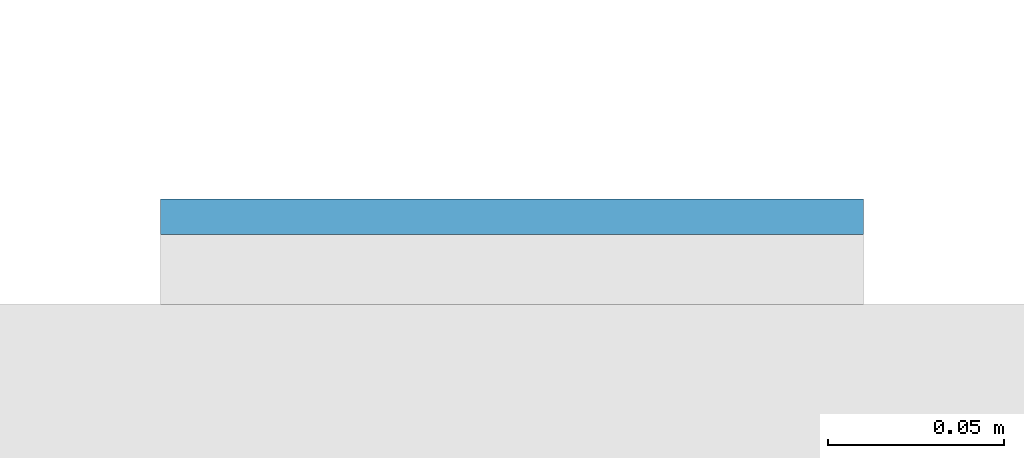
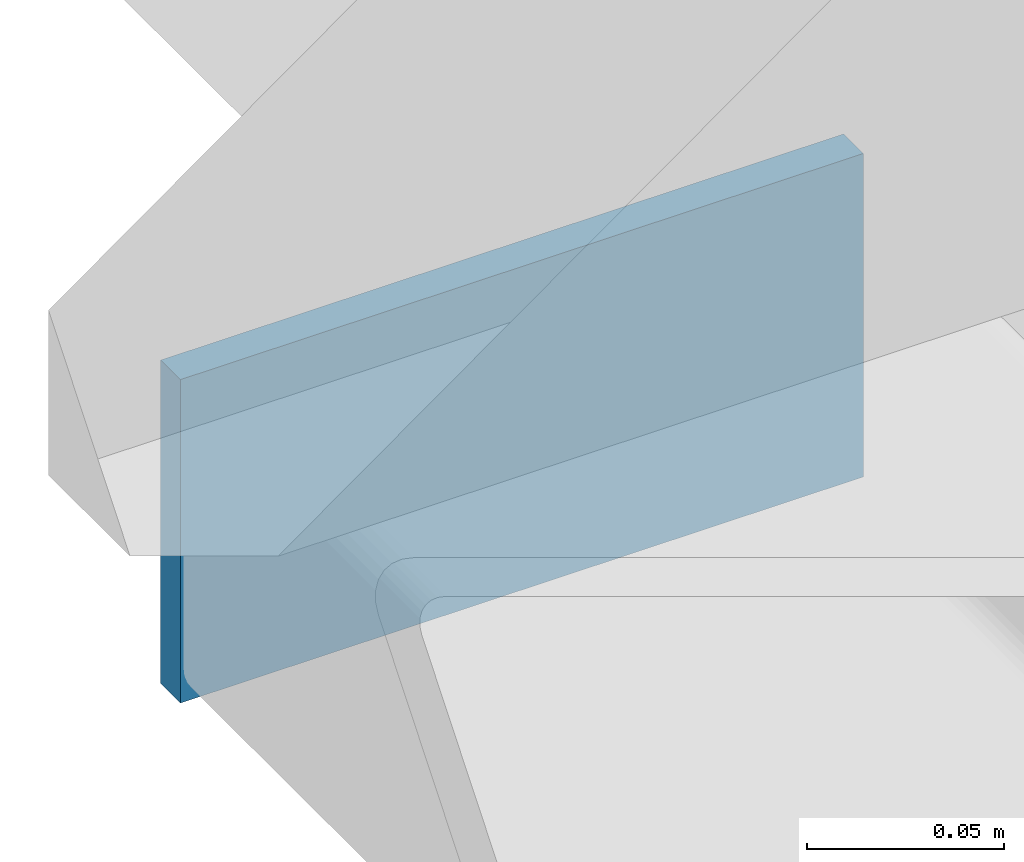
# One storey, part 9 of 20: 1 plate.
"""IFC4 building model written with IfcOpenShell, lengths in metres."""

from ifc_helpers import new_model, si_unit, direction, frame, origin, origin_2d, place, context, subcontext, project, spatial, rectangle, extrude, material, layer, layer_set, type_object, element, save


model = new_model("IFC4")

# Units and contexts
model_context = context("Model", 3, precision=1e-05, world=origin(), true_north=direction((0.0, 1.0)))
body_context = subcontext(model_context, "Body", "Model", "MODEL_VIEW")
ifc_project = project(units=[si_unit("LENGTHUNIT", "METRE"), si_unit("AREAUNIT", "SQUARE_METRE"), si_unit("VOLUMEUNIT", "CUBIC_METRE"), si_unit("PLANEANGLEUNIT", "RADIAN"), si_unit("MASSUNIT", "GRAM", prefix="KILO")], contexts=[model_context])

# Site, building, storey
site_placement = place(None, origin())
site = spatial("IfcSite", under=ifc_project, at=site_placement, CompositionType="ELEMENT")
building_placement = place(site_placement, origin())
building = spatial("IfcBuilding", under=site, at=building_placement, Name="Cleftline Residences", CompositionType="ELEMENT")
storey_placement = place(building_placement, frame((0.0, 0.0, 54.800048828125)))
storey = spatial("IfcBuildingStorey", under=building, at=storey_placement, Name="L13", CompositionType="ELEMENT", Elevation=54.800048828125)

# Plate
ifc_material = material(Name="Steel S355, hot-dip galvanised", Category="steel")
ifc_layer = layer(ifc_material, 0.010009765625)
ifc_layer_set = layer_set([ifc_layer], Name="BAGUETTE CARRIER END PLATE 200X100X10")
plate_type = type_object("IfcPlateType", Name="BAGUETTE CARRIER END PLATE 200X100X10", PredefinedType="USERDEFINED", material=ifc_layer_set)
plate_placement = place(storey_placement, frame((-0.85009765625, 44.304931640625, -0.10009765625), z_axis=(0.0, 0.0, 1.0), x_axis=(-1.0, 0.0, 0.0)))
element("IfcPlate", 1, at=plate_placement, inside=storey, type_object=plate_type, Name="Baguette carrier end plate", ObjectType="BAGUETTE CARRIER END PLATE", PredefinedType="USERDEFINED", context=body_context, shape_type="SweptSolid", body=[
    extrude(rectangle(XDim=0.199951171875, YDim=0.010009765625, at=origin_2d()), origin(), (0.0, 0.0, 1.0), 0.10009765625),
])

save(model, "model.ifc")
